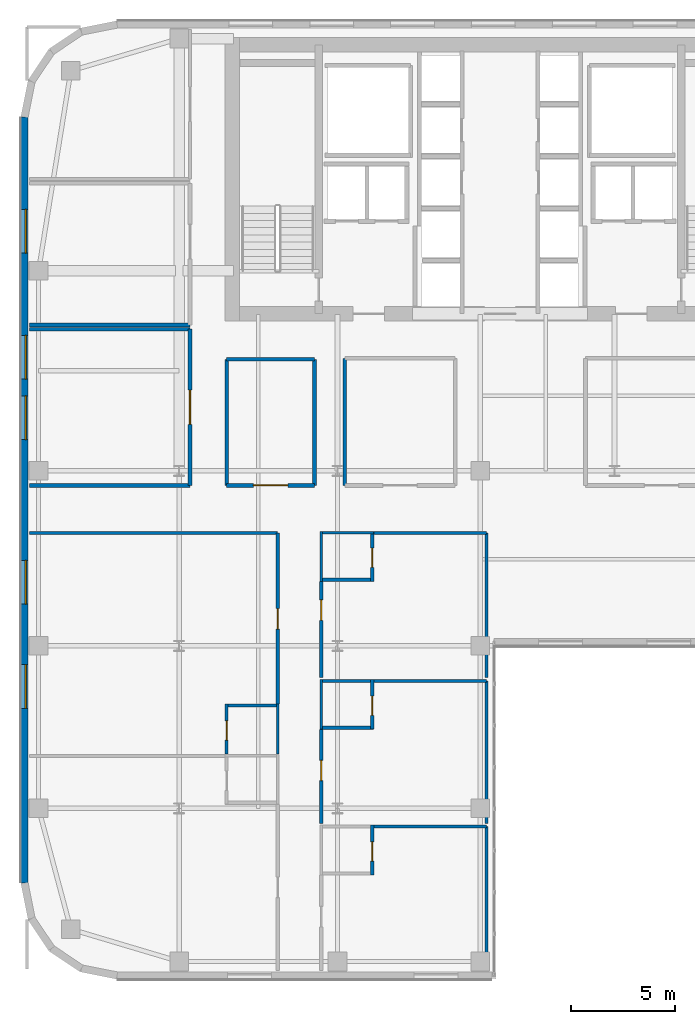
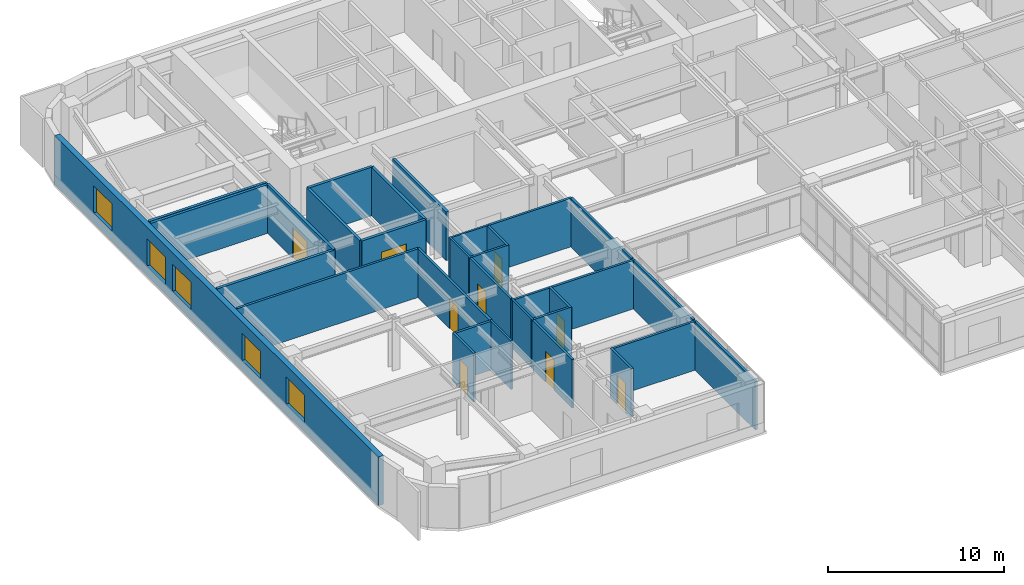
# One storey, part 14 of 24: 32 walls, 9 doors, 5 windows, 14 openings.
"""IFC4 building model written with IfcOpenShell, lengths in metres."""

from ifc_helpers import new_model, si_unit, direction, frame, frame_2d, origin, place, context, subcontext, project, spatial, rectangle, extrude, source, transform, mapped, material, layer, layer_set, type_object, type_shapes, element, fill, save


model = new_model("IFC4")

# Units and contexts
model_context = context("Model", 3, precision=1e-05, world=origin(), true_north=direction((0.0, 1.0)))
body_context = subcontext(model_context, "Body", "Model", "MODEL_VIEW")
ifc_project = project(units=[si_unit("LENGTHUNIT", "METRE"), si_unit("AREAUNIT", "SQUARE_METRE"), si_unit("VOLUMEUNIT", "CUBIC_METRE"), si_unit("PLANEANGLEUNIT", "RADIAN"), si_unit("MASSUNIT", "GRAM", prefix="KILO")], contexts=[model_context])

# Site, building, storey
site_placement = place(None, origin())
site = spatial("IfcSite", under=ifc_project, at=site_placement, CompositionType="ELEMENT")
building_placement = place(site_placement, origin())
building = spatial("IfcBuilding", under=site, at=building_placement, Name="Tolvann Quenvar Hotel", CompositionType="ELEMENT")
storey_placement = place(building_placement, frame((0.0, 0.0, 139.949951171875)))
storey = spatial("IfcBuildingStorey", under=building, at=storey_placement, Name="L36", CompositionType="ELEMENT", Elevation=139.949951171875)

# Wall, openings, windows
ifc_material_1 = material(Name="Kiln-fired red and buff architectural clay brickwork and terracotta masonry", Category="masonry")
ifc_layer_1 = layer(ifc_material_1, 0.35009765625)
ifc_layer_set_1 = layer_set([ifc_layer_1], Name="Kiln-fired red and buff architectural clay brickwork and terracotta masonry")
wall_type_1 = type_object("IfcWallType", Name="WALL_EXT_BRICK_350", PredefinedType="SOLIDWALL", material=ifc_layer_set_1)
wall_1_placement = place(storey_placement, frame((0.175048828125, 41.3828125, 0.0), z_axis=(0.0, 0.0, 1.0), x_axis=(0.0, -1.0, 0.0)))
wall_1 = element("IfcWall", 1, at=wall_1_placement, inside=storey, type_object=wall_type_1, Name="Exterior Chicago Brick Wall L36-E23", PredefinedType="SOLIDWALL", context=body_context, shape_type="SweptSolid", body=[
    extrude(rectangle(XDim=36.765625, YDim=0.35009765625, at=frame_2d((18.3828125, 0.0))), origin(), (0.0, 0.0, 1.0), 3.3701171875),
])
opening_1_placement = place(wall_1_placement, frame((4.427978515625, 0.0, 0.679931640625)))
opening_1 = element("IfcOpeningElement", 2, at=opening_1_placement, cuts=wall_1, Name="Opening W-02", PredefinedType="OPENING", context=body_context, shape_type="SweptSolid", body=[
    extrude(rectangle(XDim=2.10009765625, YDim=1.89990234375, at=frame_2d((1.050048828125, 0.949951171875))), frame((0.0, 0.18505859375, 0.0), z_axis=(0.0, -1.0, 0.0), x_axis=(1.0, 0.0, 0.0)), (0.0, 0.0, 1.0), 0.3701171875),
])
opening_2_placement = place(wall_1_placement, frame((10.47900390625, 0.0, 0.679931640625)))
opening_2 = element("IfcOpeningElement", 3, at=opening_2_placement, cuts=wall_1, Name="Opening W-02", PredefinedType="OPENING", context=body_context, shape_type="SweptSolid", body=[
    extrude(rectangle(XDim=2.10009765625, YDim=1.89990234375, at=frame_2d((1.050048828125, 0.949951171875))), frame((0.0, 0.18505859375, 0.0), z_axis=(0.0, -1.0, 0.0), x_axis=(1.0, 0.0, 0.0)), (0.0, 0.0, 1.0), 0.3701171875),
])
opening_3_placement = place(wall_1_placement, frame((13.381103515625, 0.0, 0.679931640625)))
opening_3 = element("IfcOpeningElement", 4, at=opening_3_placement, cuts=wall_1, Name="Opening W-02", PredefinedType="OPENING", context=body_context, shape_type="SweptSolid", body=[
    extrude(rectangle(XDim=2.10009765625, YDim=1.89990234375, at=frame_2d((1.050048828125, 0.949951171875))), frame((0.0, 0.18505859375, 0.0), z_axis=(0.0, -1.0, 0.0), x_axis=(1.0, 0.0, 0.0)), (0.0, 0.0, 1.0), 0.3701171875),
])
opening_4_placement = place(wall_1_placement, frame((21.284912109375, 0.0, 0.679931640625)))
opening_4 = element("IfcOpeningElement", 5, at=opening_4_placement, cuts=wall_1, Name="Opening W-02", PredefinedType="OPENING", context=body_context, shape_type="SweptSolid", body=[
    extrude(rectangle(XDim=2.10009765625, YDim=1.89990234375, at=frame_2d((1.050048828125, 0.949951171875))), frame((0.0, 0.18505859375, 0.0), z_axis=(0.0, -1.0, 0.0), x_axis=(1.0, 0.0, 0.0)), (0.0, 0.0, 1.0), 0.3701171875),
])
opening_5_placement = place(wall_1_placement, frame((26.285888671875, 0.0, 0.679931640625)))
opening_5 = element("IfcOpeningElement", 6, at=opening_5_placement, cuts=wall_1, Name="Opening W-02", PredefinedType="OPENING", context=body_context, shape_type="SweptSolid", body=[
    extrude(rectangle(XDim=2.10009765625, YDim=1.89990234375, at=frame_2d((1.050048828125, 0.949951171875))), frame((0.0, 0.18505859375, 0.0), z_axis=(0.0, -1.0, 0.0), x_axis=(1.0, 0.0, 0.0)), (0.0, 0.0, 1.0), 0.3701171875),
])
ifc_material_2 = material(Name="Thermally broken bronze-anodised aluminium frame with double low-E glazing", Category="aluminium")
window_type = type_object("IfcWindowType", Name="WIN_CHI_2100x2050", PartitioningType="TRIPLE_PANEL_HORIZONTAL", PredefinedType="WINDOW", material=ifc_material_2)
shared_shape_1 = source(origin(), body_context, "Body", "SweptSolid", [
    extrude(rectangle(XDim=2.10009765625, YDim=1.89990234375, at=frame_2d((1.050048828125, 0.949951171875))), frame((0.0, 0.090087890625, 0.0), z_axis=(0.0, -1.0, 0.0), x_axis=(1.0, 0.0, 0.0)), (0.0, 0.0, 1.0), 0.06005859375),
])
type_shapes(window_type, [shared_shape_1])
window_1_placement = place(opening_1_placement, origin())
window_1 = element("IfcWindow", 7, at=window_1_placement, inside=storey, type_object=window_type, Name="Chicago Window W-02 (EW-L36-E23-W01)", OverallHeight=1.89990234375, OverallWidth=2.10009765625, PartitioningType="TRIPLE_PANEL_HORIZONTAL", PredefinedType="WINDOW", context=body_context, shape_type="MappedRepresentation", body=[
    mapped(shared_shape_1, transform((0.0, 0.0, 0.0), x_axis=(1.0, 0.0, 0.0), y_axis=(0.0, 1.0, 0.0), z_axis=(0.0, 0.0, 1.0), scale=1.0)),
])
fill(opening_1, window_1)
window_2_placement = place(opening_2_placement, origin())
window_2 = element("IfcWindow", 8, at=window_2_placement, inside=storey, type_object=window_type, Name="Chicago Window W-02 (EW-L36-E23-W02)", OverallHeight=1.89990234375, OverallWidth=2.10009765625, PartitioningType="TRIPLE_PANEL_HORIZONTAL", PredefinedType="WINDOW", context=body_context, shape_type="MappedRepresentation", body=[
    mapped(shared_shape_1, transform((0.0, 0.0, 0.0), x_axis=(1.0, 0.0, 0.0), y_axis=(0.0, 1.0, 0.0), z_axis=(0.0, 0.0, 1.0), scale=1.0)),
])
fill(opening_2, window_2)
window_3_placement = place(opening_3_placement, origin())
window_3 = element("IfcWindow", 9, at=window_3_placement, inside=storey, type_object=window_type, Name="Chicago Window W-02 (EW-L36-E23-W03)", OverallHeight=1.89990234375, OverallWidth=2.10009765625, PartitioningType="TRIPLE_PANEL_HORIZONTAL", PredefinedType="WINDOW", context=body_context, shape_type="MappedRepresentation", body=[
    mapped(shared_shape_1, transform((0.0, 0.0, 0.0), x_axis=(1.0, 0.0, 0.0), y_axis=(0.0, 1.0, 0.0), z_axis=(0.0, 0.0, 1.0), scale=1.0)),
])
fill(opening_3, window_3)
window_4_placement = place(opening_4_placement, origin())
window_4 = element("IfcWindow", 10, at=window_4_placement, inside=storey, type_object=window_type, Name="Chicago Window W-02 (EW-L36-E23-W04)", OverallHeight=1.89990234375, OverallWidth=2.10009765625, PartitioningType="TRIPLE_PANEL_HORIZONTAL", PredefinedType="WINDOW", context=body_context, shape_type="MappedRepresentation", body=[
    mapped(shared_shape_1, transform((0.0, 0.0, 0.0), x_axis=(1.0, 0.0, 0.0), y_axis=(0.0, 1.0, 0.0), z_axis=(0.0, 0.0, 1.0), scale=1.0)),
])
fill(opening_4, window_4)
window_5_placement = place(opening_5_placement, origin())
window_5 = element("IfcWindow", 11, at=window_5_placement, inside=storey, type_object=window_type, Name="Chicago Window W-02 (EW-L36-E23-W05)", OverallHeight=1.89990234375, OverallWidth=2.10009765625, PartitioningType="TRIPLE_PANEL_HORIZONTAL", PredefinedType="WINDOW", context=body_context, shape_type="MappedRepresentation", body=[
    mapped(shared_shape_1, transform((0.0, 0.0, 0.0), x_axis=(1.0, 0.0, 0.0), y_axis=(0.0, 1.0, 0.0), z_axis=(0.0, 0.0, 1.0), scale=1.0)),
])
fill(opening_5, window_5)

# Walls
ifc_material_3 = material(Name="Acoustic twin-stud fire-rated gypsum plasterboard partition")
ifc_layer_2 = layer(ifc_material_3, 0.179931640625)
ifc_layer_set_2 = layer_set([ifc_layer_2], Name="Acoustic twin-stud fire-rated gypsum plasterboard partition")
wall_type_2 = type_object("IfcWallType", Name="WALL_PART_ACOUSTIC_180", PredefinedType="PARTITIONING", material=ifc_layer_set_2)
for number, where, z_axis, x_axis, name in (
    (12, (0.405029296875, 23.699951171875, 0.0), (0.0, 0.0, 1.0), (1.0, 0.0, 0.0), "Interior Partition PT-SPC-L36-SAL-S"),
    (13, (0.405029296875, 31.199951171875, 0.0), (0.0, 0.0, 1.0), (1.0, 0.0, 0.0), "Interior Partition PT-SPC-L36-SAL-N"),
):
    element("IfcWall", number, at=place(storey_placement, frame(where, z_axis=z_axis, x_axis=x_axis)), inside=storey, type_object=wall_type_2, Name=name, PredefinedType="PARTITIONING", context=body_context, shape_type="SweptSolid", body=[
        extrude(rectangle(XDim=7.715087890625, YDim=0.179931640625, at=frame_2d((3.857421875, 0.0))), origin(), (0.0, 0.0, 1.0), 3.3701171875),
    ])

# Wall, opening, door
wall_2_placement = place(storey_placement, frame((8.1201171875, 23.699951171875, 0.0), z_axis=(0.0, 0.0, 1.0), x_axis=(0.0, 1.0, 0.0)))
wall_2 = element("IfcWall", 14, at=wall_2_placement, inside=storey, type_object=wall_type_2, Name="Interior Partition PT-SPC-L36-SAL-E", PredefinedType="PARTITIONING", context=body_context, shape_type="SweptSolid", body=[
    extrude(rectangle(XDim=7.5, YDim=0.179931640625, at=frame_2d((3.75, 0.0))), origin(), (0.0, 0.0, 1.0), 3.3701171875),
])
opening_6_placement = place(wall_2_placement, frame((2.925048828125, 0.0, 0.0)))
opening_6 = element("IfcOpeningElement", 15, at=opening_6_placement, cuts=wall_2, Name="Opening AD-01", PredefinedType="OPENING", context=body_context, shape_type="SweptSolid", body=[
    extrude(rectangle(XDim=1.64990234375, YDim=2.14990234375, at=frame_2d((0.824951171875, 1.074951171875))), frame((0.0, 0.10009765625, 0.0), z_axis=(0.0, -1.0, 0.0), x_axis=(1.0, 0.0, 0.0)), (0.0, 0.0, 1.0), 0.199951171875),
])
ifc_material_4 = material(Name="Solid-core American oak acoustic fire door leaf in steel frame", Category="steel")
door_type_1 = type_object("IfcDoorType", Name="DOOR_SALON_1650", OperationType="NOTDEFINED", PredefinedType="DOOR", material=ifc_material_4)
shared_shape_2 = source(origin(), body_context, "Body", "SweptSolid", [
    extrude(rectangle(XDim=1.64990234375, YDim=2.14990234375, at=frame_2d((0.824951171875, 1.074951171875))), frame((0.0, 0.02490234375, 0.0), z_axis=(0.0, -1.0, 0.0), x_axis=(1.0, 0.0, 0.0)), (0.0, 0.0, 1.0), 0.050048828125),
])
type_shapes(door_type_1, [shared_shape_2])
door_1_placement = place(opening_6_placement, origin())
door_1 = element("IfcDoor", 16, at=door_1_placement, inside=storey, type_object=door_type_1, Name="Interior Door DOOR-SPC-L36-SAL", OperationType="DOUBLE_DOOR_SINGLE_SWING", OverallHeight=2.14990234375, OverallWidth=1.64990234375, PredefinedType="DOOR", context=body_context, shape_type="MappedRepresentation", body=[
    mapped(shared_shape_2, transform((0.0, 0.0, 0.0), x_axis=(1.0, 0.0, 0.0), y_axis=(0.0, 1.0, 0.0), z_axis=(0.0, 0.0, 1.0), scale=1.0)),
])
fill(opening_6, door_1)

# Wall
wall_3_placement = place(storey_placement, frame((0.405029296875, 31.39990234375, 0.0), z_axis=(0.0, 0.0, 1.0), x_axis=(1.0, 0.0, 0.0)))
element("IfcWall", 17, at=wall_3_placement, inside=storey, type_object=wall_type_2, Name="Interior Partition PT-SPC-L36-MTG-S", PredefinedType="PARTITIONING", context=body_context, shape_type="SweptSolid", body=[
    extrude(rectangle(XDim=7.715087890625, YDim=0.179931640625, at=frame_2d((3.857421875, 0.0))), origin(), (0.0, 0.0, 1.0), 3.3701171875),
])

# Wall, opening, door
wall_4_placement = place(storey_placement, frame((9.8798828125, 23.699951171875, 0.0), z_axis=(0.0, 0.0, 1.0), x_axis=(1.0, 0.0, 0.0)))
wall_4 = element("IfcWall", 18, at=wall_4_placement, inside=storey, type_object=wall_type_2, Name="Interior Partition PT-SPC-L36-MSP-W-S", PredefinedType="PARTITIONING", context=body_context, shape_type="SweptSolid", body=[
    extrude(rectangle(XDim=4.22021484375, YDim=0.179931640625, at=frame_2d((2.110107421875, 0.0))), origin(), (0.0, 0.0, 1.0), 3.3701171875),
])
opening_7_placement = place(wall_4_placement, frame((1.284912109375, 0.0, 0.0)))
opening_7 = element("IfcOpeningElement", 19, at=opening_7_placement, cuts=wall_4, Name="Opening AD-01", PredefinedType="OPENING", context=body_context, shape_type="SweptSolid", body=[
    extrude(rectangle(XDim=1.64990234375, YDim=2.14990234375, at=frame_2d((0.824951171875, 1.074951171875))), frame((0.0, 0.10009765625, 0.0), z_axis=(0.0, -1.0, 0.0), x_axis=(1.0, 0.0, 0.0)), (0.0, 0.0, 1.0), 0.199951171875),
])
door_2_placement = place(opening_7_placement, origin())
door_2 = element("IfcDoor", 20, at=door_2_placement, inside=storey, type_object=door_type_1, Name="Interior Door DOOR-SPC-L36-MSP-W", OperationType="DOUBLE_DOOR_SINGLE_SWING", OverallHeight=2.14990234375, OverallWidth=1.64990234375, PredefinedType="DOOR", context=body_context, shape_type="MappedRepresentation", body=[
    mapped(shared_shape_2, transform((0.0, 0.0, 0.0), x_axis=(1.0, 0.0, 0.0), y_axis=(0.0, 1.0, 0.0), z_axis=(0.0, 0.0, 1.0), scale=1.0)),
])
fill(opening_7, door_2)

# Walls
wall_5_placement = place(storey_placement, frame((9.8798828125, 29.75, 0.0), z_axis=(0.0, 0.0, 1.0), x_axis=(1.0, 0.0, 0.0)))
element("IfcWall", 21, at=wall_5_placement, inside=storey, type_object=wall_type_2, Name="Interior Partition PT-SPC-L36-MSP-W-N", PredefinedType="PARTITIONING", context=body_context, shape_type="SweptSolid", body=[
    extrude(rectangle(XDim=4.22021484375, YDim=0.179931640625, at=frame_2d((2.110107421875, 0.0))), origin(), (0.0, 0.0, 1.0), 3.3701171875),
])
for number, where, z_axis, x_axis, name in (
    (22, (9.8798828125, 23.699951171875, 0.0), (0.0, 0.0, 1.0), (0.0, 1.0, 0.0), "Interior Partition PT-SPC-L36-MSP-W-W"),
    (23, (14.10009765625, 23.699951171875, 0.0), (0.0, 0.0, 1.0), (0.0, 1.0, 0.0), "Interior Partition PT-SPC-L36-MSP-W-E"),
):
    element("IfcWall", number, at=place(storey_placement, frame(where, z_axis=z_axis, x_axis=x_axis)), inside=storey, type_object=wall_type_2, Name=name, PredefinedType="PARTITIONING", context=body_context, shape_type="SweptSolid", body=[
        extrude(rectangle(XDim=6.050048828125, YDim=0.179931640625, at=frame_2d((3.02490234375, 0.0))), origin(), (0.0, 0.0, 1.0), 3.3701171875),
    ])
wall_6_placement = place(storey_placement, frame((15.550048828125, 23.699951171875, 0.0), z_axis=(0.0, 0.0, 1.0), x_axis=(0.0, 1.0, 0.0)))
element("IfcWall", 24, at=wall_6_placement, inside=storey, type_object=wall_type_2, Name="Interior Partition PT-SPC-L36-MSP-N-W", PredefinedType="PARTITIONING", context=body_context, shape_type="SweptSolid", body=[
    extrude(rectangle(XDim=6.10009765625, YDim=0.179931640625, at=frame_2d((3.050048828125, 0.0))), origin(), (0.0, 0.0, 1.0), 3.3701171875),
])
ifc_material_5 = material(Name="Moisture-resistant acoustic plumbing wall assembly")
ifc_layer_3 = layer(ifc_material_5, 0.1201171875)
ifc_layer_set_3 = layer_set([ifc_layer_3], Name="Moisture-resistant acoustic plumbing wall assembly")
wall_type_3 = type_object("IfcWallType", Name="WALL_PART_BATH_120", PredefinedType="PLUMBINGWALL", material=ifc_layer_set_3)
for number, where, z_axis, x_axis, name in (
    (25, (12.330078125, 10.81005859375, 0.0), (0.0, 0.0, 1.0), (0.0, 1.0, 0.0), "Non-Rated Plumbing Partition PT-SPC-L36-ENS-WO02-E"),
    (26, (14.419921875, 12.0, 0.0), (0.0, 0.0, 1.0), (0.0, 1.0, 0.0), "Non-Rated Plumbing Partition PT-SPC-L36-ENS-WI02-W"),
):
    element("IfcWall", number, at=place(storey_placement, frame(where, z_axis=z_axis, x_axis=x_axis)), inside=storey, type_object=wall_type_3, Name=name, PredefinedType="PLUMBINGWALL", context=body_context, shape_type="SweptSolid", body=[
        extrude(rectangle(XDim=2.389892578125, YDim=0.1201171875, at=frame_2d((1.19482421875, 0.0))), origin(), (0.0, 0.0, 1.0), 3.3701171875),
    ])
wall_7_placement = place(storey_placement, frame((14.35009765625, 21.419921875, 0.0), z_axis=(0.0, 0.0, 1.0), x_axis=(1.0, 0.0, 0.0)))
element("IfcWall", 27, at=wall_7_placement, inside=storey, type_object=wall_type_3, Name="Non-Rated Plumbing Partition PT-SPC-L36-ENS-WI03-N", PredefinedType="PLUMBINGWALL", context=body_context, shape_type="SweptSolid", body=[
    extrude(rectangle(XDim=2.58984375, YDim=0.1201171875, at=frame_2d((1.294921875, 0.0))), origin(), (0.0, 0.0, 1.0), 3.3701171875),
])
wall_8_placement = place(storey_placement, frame((14.419921875, 19.10009765625, 0.0), z_axis=(0.0, 0.0, 1.0), x_axis=(0.0, 1.0, 0.0)))
element("IfcWall", 28, at=wall_8_placement, inside=storey, type_object=wall_type_3, Name="Non-Rated Plumbing Partition PT-SPC-L36-ENS-WI03-W", PredefinedType="PLUMBINGWALL", context=body_context, shape_type="SweptSolid", body=[
    extrude(rectangle(XDim=2.389892578125, YDim=0.1201171875, at=frame_2d((1.19482421875, 0.0))), origin(), (0.0, 0.0, 1.0), 3.3701171875),
])

# Wall, opening, door
ifc_layer_4 = layer(ifc_material_3, 0.14990234375)
ifc_layer_set_4 = layer_set([ifc_layer_4], Name="Acoustic twin-stud fire-rated gypsum plasterboard partition")
wall_type_4 = type_object("IfcWallType", Name="WALL_PART_SUITE_150", PredefinedType="PARTITIONING", material=ifc_layer_set_4)
wall_9_placement = place(storey_placement, frame((9.8798828125, 10.81005859375, 0.0), z_axis=(0.0, 0.0, 1.0), x_axis=(0.0, 1.0, 0.0)))
wall_9 = element("IfcWall", 29, at=wall_9_placement, inside=storey, type_object=wall_type_4, Name="Interior Partition PT-SPC-L36-ENS-WO02-ENT", PredefinedType="PARTITIONING", context=body_context, shape_type="SweptSolid", body=[
    extrude(rectangle(XDim=2.389892578125, YDim=0.14990234375, at=frame_2d((1.19482421875, 0.0))), origin(), (0.0, 0.0, 1.0), 3.3701171875),
])
opening_8_placement = place(wall_9_placement, frame((0.6650390625, 0.0, 0.0)))
opening_8 = element("IfcOpeningElement", 30, at=opening_8_placement, cuts=wall_9, Name="Opening WD-01", PredefinedType="OPENING", context=body_context, shape_type="SweptSolid", body=[
    extrude(rectangle(XDim=0.919921875, YDim=2.010009765625, at=frame_2d((0.4599609375, 1.0048828125))), frame((0.0, 0.0849609375, 0.0), z_axis=(0.0, -1.0, 0.0), x_axis=(1.0, 0.0, 0.0)), (0.0, 0.0, 1.0), 0.169921875),
])
door_type_2 = type_object("IfcDoorType", Name="DOOR_WC_920", OperationType="NOTDEFINED", PredefinedType="DOOR", material=ifc_material_4)
shared_shape_3 = source(origin(), body_context, "Body", "SweptSolid", [
    extrude(rectangle(XDim=0.919921875, YDim=2.010009765625, at=frame_2d((0.4599609375, 1.0048828125))), frame((0.0, 0.02490234375, 0.0), z_axis=(0.0, -1.0, 0.0), x_axis=(1.0, 0.0, 0.0)), (0.0, 0.0, 1.0), 0.050048828125),
])
type_shapes(door_type_2, [shared_shape_3])
door_3_placement = place(opening_8_placement, origin())
door_3 = element("IfcDoor", 31, at=door_3_placement, inside=storey, type_object=door_type_2, Name="Interior Door DOOR-SPC-L36-ENS-WO02", OperationType="SINGLE_SWING_LEFT", OverallHeight=2.010009765625, OverallWidth=0.919921875, PredefinedType="DOOR", context=body_context, shape_type="MappedRepresentation", body=[
    mapped(shared_shape_3, transform((0.0, 0.0, 0.0), x_axis=(1.0, 0.0, 0.0), y_axis=(0.0, 1.0, 0.0), z_axis=(0.0, 0.0, 1.0), scale=1.0)),
])
fill(opening_8, door_3)

# Wall
wall_10_placement = place(storey_placement, frame((9.81005859375, 13.1298828125, 0.0), z_axis=(0.0, 0.0, 1.0), x_axis=(1.0, 0.0, 0.0)))
element("IfcWall", 32, at=wall_10_placement, inside=storey, type_object=wall_type_4, Name="Interior Partition PT-SPC-L36-ENS-WO02-N", PredefinedType="PARTITIONING", context=body_context, shape_type="SweptSolid", body=[
    extrude(rectangle(XDim=2.58984375, YDim=0.14990234375, at=frame_2d((1.294921875, 0.0))), origin(), (0.0, 0.0, 1.0), 3.3701171875),
])

# Wall, opening, door
wall_11_placement = place(storey_placement, frame((16.8701171875, 5.0, 0.0), z_axis=(0.0, 0.0, 1.0), x_axis=(0.0, 1.0, 0.0)))
wall_11 = element("IfcWall", 33, at=wall_11_placement, inside=storey, type_object=wall_type_4, Name="Interior Partition PT-SPC-L36-ENS-WI01-ENT", PredefinedType="PARTITIONING", context=body_context, shape_type="SweptSolid", body=[
    extrude(rectangle(XDim=2.389892578125, YDim=0.14990234375, at=frame_2d((1.19482421875, 0.0))), origin(), (0.0, 0.0, 1.0), 3.3701171875),
])
opening_9_placement = place(wall_11_placement, frame((0.6650390625, 0.0, 0.0)))
opening_9 = element("IfcOpeningElement", 34, at=opening_9_placement, cuts=wall_11, Name="Opening WD-01", PredefinedType="OPENING", context=body_context, shape_type="SweptSolid", body=[
    extrude(rectangle(XDim=0.919921875, YDim=2.010009765625, at=frame_2d((0.4599609375, 1.0048828125))), frame((0.0, 0.0849609375, 0.0), z_axis=(0.0, -1.0, 0.0), x_axis=(1.0, 0.0, 0.0)), (0.0, 0.0, 1.0), 0.169921875),
])
door_4_placement = place(opening_9_placement, origin())
door_4 = element("IfcDoor", 35, at=door_4_placement, inside=storey, type_object=door_type_2, Name="Interior Door DOOR-SPC-L36-ENS-WI01", OperationType="SINGLE_SWING_RIGHT", OverallHeight=2.010009765625, OverallWidth=0.919921875, PredefinedType="DOOR", context=body_context, shape_type="MappedRepresentation", body=[
    mapped(shared_shape_3, transform((0.0, 0.0, 0.0), x_axis=(1.0, 0.0, 0.0), y_axis=(0.0, 1.0, 0.0), z_axis=(0.0, 0.0, 1.0), scale=1.0)),
])
fill(opening_9, door_4)

wall_12_placement = place(storey_placement, frame((16.8701171875, 12.0, 0.0), z_axis=(0.0, 0.0, 1.0), x_axis=(0.0, 1.0, 0.0)))
wall_12 = element("IfcWall", 36, at=wall_12_placement, inside=storey, type_object=wall_type_4, Name="Interior Partition PT-SPC-L36-ENS-WI02-ENT", PredefinedType="PARTITIONING", context=body_context, shape_type="SweptSolid", body=[
    extrude(rectangle(XDim=2.389892578125, YDim=0.14990234375, at=frame_2d((1.19482421875, 0.0))), origin(), (0.0, 0.0, 1.0), 3.3701171875),
])
opening_10_placement = place(wall_12_placement, frame((0.6650390625, 0.0, 0.0)))
opening_10 = element("IfcOpeningElement", 37, at=opening_10_placement, cuts=wall_12, Name="Opening WD-01", PredefinedType="OPENING", context=body_context, shape_type="SweptSolid", body=[
    extrude(rectangle(XDim=0.919921875, YDim=2.010009765625, at=frame_2d((0.4599609375, 1.0048828125))), frame((0.0, 0.0849609375, 0.0), z_axis=(0.0, -1.0, 0.0), x_axis=(1.0, 0.0, 0.0)), (0.0, 0.0, 1.0), 0.169921875),
])
door_5_placement = place(opening_10_placement, origin())
door_5 = element("IfcDoor", 38, at=door_5_placement, inside=storey, type_object=door_type_2, Name="Interior Door DOOR-SPC-L36-ENS-WI02", OperationType="SINGLE_SWING_LEFT", OverallHeight=2.010009765625, OverallWidth=0.919921875, PredefinedType="DOOR", context=body_context, shape_type="MappedRepresentation", body=[
    mapped(shared_shape_3, transform((0.0, 0.0, 0.0), x_axis=(1.0, 0.0, 0.0), y_axis=(0.0, 1.0, 0.0), z_axis=(0.0, 0.0, 1.0), scale=1.0)),
])
fill(opening_10, door_5)

# Walls
for number, where, z_axis, x_axis, name in (
    (39, (14.35009765625, 12.070068359375, 0.0), (0.0, 0.0, 1.0), (1.0, 0.0, 0.0), "Interior Partition PT-SPC-L36-ENS-WI02-S"),
    (40, (14.35009765625, 14.320068359375, 0.0), (0.0, 0.0, 1.0), (1.0, 0.0, 0.0), "Interior Partition PT-SPC-L36-ENS-WI02-N"),
):
    element("IfcWall", number, at=place(storey_placement, frame(where, z_axis=z_axis, x_axis=x_axis)), inside=storey, type_object=wall_type_4, Name=name, PredefinedType="PARTITIONING", context=body_context, shape_type="SweptSolid", body=[
        extrude(rectangle(XDim=2.58984375, YDim=0.14990234375, at=frame_2d((1.294921875, 0.0))), origin(), (0.0, 0.0, 1.0), 3.3701171875),
    ])

# Wall, opening, door
wall_13_placement = place(storey_placement, frame((16.8701171875, 19.10009765625, 0.0), z_axis=(0.0, 0.0, 1.0), x_axis=(0.0, 1.0, 0.0)))
wall_13 = element("IfcWall", 41, at=wall_13_placement, inside=storey, type_object=wall_type_4, Name="Interior Partition PT-SPC-L36-ENS-WI03-ENT", PredefinedType="PARTITIONING", context=body_context, shape_type="SweptSolid", body=[
    extrude(rectangle(XDim=2.389892578125, YDim=0.14990234375, at=frame_2d((1.19482421875, 0.0))), origin(), (0.0, 0.0, 1.0), 3.3701171875),
])
opening_11_placement = place(wall_13_placement, frame((0.6650390625, 0.0, 0.0)))
opening_11 = element("IfcOpeningElement", 42, at=opening_11_placement, cuts=wall_13, Name="Opening WD-01", PredefinedType="OPENING", context=body_context, shape_type="SweptSolid", body=[
    extrude(rectangle(XDim=0.919921875, YDim=2.010009765625, at=frame_2d((0.4599609375, 1.0048828125))), frame((0.0, 0.0849609375, 0.0), z_axis=(0.0, -1.0, 0.0), x_axis=(1.0, 0.0, 0.0)), (0.0, 0.0, 1.0), 0.169921875),
])
door_6_placement = place(opening_11_placement, origin())
door_6 = element("IfcDoor", 43, at=door_6_placement, inside=storey, type_object=door_type_2, Name="Interior Door DOOR-SPC-L36-ENS-WI03", OperationType="SINGLE_SWING_RIGHT", OverallHeight=2.010009765625, OverallWidth=0.919921875, PredefinedType="DOOR", context=body_context, shape_type="MappedRepresentation", body=[
    mapped(shared_shape_3, transform((0.0, 0.0, 0.0), x_axis=(1.0, 0.0, 0.0), y_axis=(0.0, 1.0, 0.0), z_axis=(0.0, 0.0, 1.0), scale=1.0)),
])
fill(opening_11, door_6)

# Wall
wall_14_placement = place(storey_placement, frame((14.35009765625, 19.169921875, 0.0), z_axis=(0.0, 0.0, 1.0), x_axis=(1.0, 0.0, 0.0)))
element("IfcWall", 44, at=wall_14_placement, inside=storey, type_object=wall_type_4, Name="Interior Partition PT-SPC-L36-ENS-WI03-S", PredefinedType="PARTITIONING", context=body_context, shape_type="SweptSolid", body=[
    extrude(rectangle(XDim=2.58984375, YDim=0.14990234375, at=frame_2d((1.294921875, 0.0))), origin(), (0.0, 0.0, 1.0), 3.3701171875),
])

# Wall, opening, door
wall_15_placement = place(storey_placement, frame((12.330078125, 13.2099609375, 0.0), z_axis=(0.0, 0.0, 1.0), x_axis=(0.0, 1.0, 0.0)))
wall_15 = element("IfcWall", 45, at=wall_15_placement, inside=storey, type_object=wall_type_4, Name="Interior Partition PT-SPC-L36-RM-WO02-ENT", PredefinedType="PARTITIONING", context=body_context, shape_type="SweptSolid", body=[
    extrude(rectangle(XDim=8.2099609375, YDim=0.14990234375, at=frame_2d((4.10498046875, 0.0))), origin(), (0.0, 0.0, 1.0), 3.3701171875),
])
opening_12_placement = place(wall_15_placement, frame((3.594970703125, 0.0, 0.0)))
opening_12 = element("IfcOpeningElement", 46, at=opening_12_placement, cuts=wall_15, Name="Opening SD-01", PredefinedType="OPENING", context=body_context, shape_type="SweptSolid", body=[
    extrude(rectangle(XDim=0.97998046875, YDim=2.1201171875, at=frame_2d((0.489990234375, 1.06005859375))), frame((0.0, 0.0849609375, 0.0), z_axis=(0.0, -1.0, 0.0), x_axis=(1.0, 0.0, 0.0)), (0.0, 0.0, 1.0), 0.169921875),
])
door_type_3 = type_object("IfcDoorType", Name="DOOR_SUITE_980", OperationType="NOTDEFINED", PredefinedType="DOOR", material=ifc_material_4)
shared_shape_4 = source(origin(), body_context, "Body", "SweptSolid", [
    extrude(rectangle(XDim=0.97998046875, YDim=2.1201171875, at=frame_2d((0.489990234375, 1.06005859375))), frame((0.0, 0.02490234375, 0.0), z_axis=(0.0, -1.0, 0.0), x_axis=(1.0, 0.0, 0.0)), (0.0, 0.0, 1.0), 0.050048828125),
])
type_shapes(door_type_3, [shared_shape_4])
door_7_placement = place(opening_12_placement, origin())
door_7 = element("IfcDoor", 47, at=door_7_placement, inside=storey, type_object=door_type_3, Name="Interior Door DOOR-SPC-L36-RM-WO02", OperationType="SINGLE_SWING_RIGHT", OverallHeight=2.1201171875, OverallWidth=0.97998046875, PredefinedType="DOOR", context=body_context, shape_type="MappedRepresentation", body=[
    mapped(shared_shape_4, transform((0.0, 0.0, 0.0), x_axis=(1.0, 0.0, 0.0), y_axis=(0.0, 1.0, 0.0), z_axis=(0.0, 0.0, 1.0), scale=1.0)),
])
fill(opening_12, door_7)

# Walls
wall_16_placement = place(storey_placement, frame((0.405029296875, 21.419921875, 0.0), z_axis=(0.0, 0.0, 1.0), x_axis=(1.0, 0.0, 0.0)))
element("IfcWall", 48, at=wall_16_placement, inside=storey, type_object=wall_type_4, Name="Interior Partition PT-SPC-L36-RM-WO02-E5", PredefinedType="PARTITIONING", context=body_context, shape_type="SweptSolid", body=[
    extrude(rectangle(XDim=11.925048828125, YDim=0.14990234375, at=frame_2d((5.96240234375, 0.0))), origin(), (0.0, 0.0, 1.0), 3.3701171875),
])
wall_17_placement = place(storey_placement, frame((22.35009765625, 0.405029296875, 0.0), z_axis=(0.0, 0.0, 1.0), x_axis=(0.0, 1.0, 0.0)))
element("IfcWall", 49, at=wall_17_placement, inside=storey, type_object=wall_type_4, Name="Interior Partition PT-SPC-L36-RM-WI01-E2", PredefinedType="PARTITIONING", context=body_context, shape_type="SweptSolid", body=[
    extrude(rectangle(XDim=6.9150390625, YDim=0.14990234375, at=frame_2d((3.45751953125, 0.0))), origin(), (0.0, 0.0, 1.0), 3.3701171875),
])
wall_18_placement = place(storey_placement, frame((16.889892578125, 7.320068359375, 0.0), z_axis=(0.0, 0.0, 1.0), x_axis=(1.0, 0.0, 0.0)))
element("IfcWall", 50, at=wall_18_placement, inside=storey, type_object=wall_type_4, Name="Interior Partition PT-SPC-L36-RM-WI01-E3", PredefinedType="PARTITIONING", context=body_context, shape_type="SweptSolid", body=[
    extrude(rectangle(XDim=5.460205078125, YDim=0.14990234375, at=frame_2d((2.72998046875, 0.0))), origin(), (0.0, 0.0, 1.0), 3.3701171875),
])

# Wall, opening, door
wall_19_placement = place(storey_placement, frame((14.419921875, 7.47998046875, 0.0), z_axis=(0.0, 0.0, 1.0), x_axis=(0.0, 1.0, 0.0)))
wall_19 = element("IfcWall", 51, at=wall_19_placement, inside=storey, type_object=wall_type_4, Name="Interior Partition PT-SPC-L36-RM-WI02-ENT", PredefinedType="PARTITIONING", context=body_context, shape_type="SweptSolid", body=[
    extrude(rectangle(XDim=4.510009765625, YDim=0.14990234375, at=frame_2d((2.2548828125, 0.0))), origin(), (0.0, 0.0, 1.0), 3.3701171875),
])
opening_13_placement = place(wall_19_placement, frame((2.044921875, 0.0, 0.0)))
opening_13 = element("IfcOpeningElement", 52, at=opening_13_placement, cuts=wall_19, Name="Opening SD-01", PredefinedType="OPENING", context=body_context, shape_type="SweptSolid", body=[
    extrude(rectangle(XDim=0.97998046875, YDim=2.1201171875, at=frame_2d((0.489990234375, 1.06005859375))), frame((0.0, 0.0849609375, 0.0), z_axis=(0.0, -1.0, 0.0), x_axis=(1.0, 0.0, 0.0)), (0.0, 0.0, 1.0), 0.169921875),
])
door_8_placement = place(opening_13_placement, origin())
door_8 = element("IfcDoor", 53, at=door_8_placement, inside=storey, type_object=door_type_3, Name="Interior Door DOOR-SPC-L36-RM-WI02", OperationType="SINGLE_SWING_RIGHT", OverallHeight=2.1201171875, OverallWidth=0.97998046875, PredefinedType="DOOR", context=body_context, shape_type="MappedRepresentation", body=[
    mapped(shared_shape_4, transform((0.0, 0.0, 0.0), x_axis=(1.0, 0.0, 0.0), y_axis=(0.0, 1.0, 0.0), z_axis=(0.0, 0.0, 1.0), scale=1.0)),
])
fill(opening_13, door_8)

# Walls
wall_20_placement = place(storey_placement, frame((22.35009765625, 7.47998046875, 0.0), z_axis=(0.0, 0.0, 1.0), x_axis=(0.0, 1.0, 0.0)))
element("IfcWall", 54, at=wall_20_placement, inside=storey, type_object=wall_type_4, Name="Interior Partition PT-SPC-L36-RM-WI02-E2", PredefinedType="PARTITIONING", context=body_context, shape_type="SweptSolid", body=[
    extrude(rectangle(XDim=6.840087890625, YDim=0.14990234375, at=frame_2d((3.419921875, 0.0))), origin(), (0.0, 0.0, 1.0), 3.3701171875),
])
wall_21_placement = place(storey_placement, frame((16.889892578125, 14.320068359375, 0.0), z_axis=(0.0, 0.0, 1.0), x_axis=(1.0, 0.0, 0.0)))
element("IfcWall", 55, at=wall_21_placement, inside=storey, type_object=wall_type_4, Name="Interior Partition PT-SPC-L36-RM-WI02-E3", PredefinedType="PARTITIONING", context=body_context, shape_type="SweptSolid", body=[
    extrude(rectangle(XDim=5.460205078125, YDim=0.14990234375, at=frame_2d((2.72998046875, 0.0))), origin(), (0.0, 0.0, 1.0), 3.3701171875),
])

# Wall, opening, door
wall_22_placement = place(storey_placement, frame((14.419921875, 14.47998046875, 0.0), z_axis=(0.0, 0.0, 1.0), x_axis=(0.0, 1.0, 0.0)))
wall_22 = element("IfcWall", 56, at=wall_22_placement, inside=storey, type_object=wall_type_4, Name="Interior Partition PT-SPC-L36-RM-WI03-ENT", PredefinedType="PARTITIONING", context=body_context, shape_type="SweptSolid", body=[
    extrude(rectangle(XDim=4.610107421875, YDim=0.14990234375, at=frame_2d((2.30517578125, 0.0))), origin(), (0.0, 0.0, 1.0), 3.3701171875),
])
opening_14_placement = place(wall_22_placement, frame((2.7451171875, 0.0, 0.0)))
opening_14 = element("IfcOpeningElement", 57, at=opening_14_placement, cuts=wall_22, Name="Opening SD-01", PredefinedType="OPENING", context=body_context, shape_type="SweptSolid", body=[
    extrude(rectangle(XDim=0.97998046875, YDim=2.1201171875, at=frame_2d((0.489990234375, 1.06005859375))), frame((0.0, 0.0849609375, 0.0), z_axis=(0.0, -1.0, 0.0), x_axis=(1.0, 0.0, 0.0)), (0.0, 0.0, 1.0), 0.169921875),
])
door_9_placement = place(opening_14_placement, origin())
door_9 = element("IfcDoor", 58, at=door_9_placement, inside=storey, type_object=door_type_3, Name="Interior Door DOOR-SPC-L36-RM-WI03", OperationType="SINGLE_SWING_LEFT", OverallHeight=2.1201171875, OverallWidth=0.97998046875, PredefinedType="DOOR", context=body_context, shape_type="MappedRepresentation", body=[
    mapped(shared_shape_4, transform((0.0, 0.0, 0.0), x_axis=(1.0, 0.0, 0.0), y_axis=(0.0, 1.0, 0.0), z_axis=(0.0, 0.0, 1.0), scale=1.0)),
])
fill(opening_14, door_9)

# Walls
wall_23_placement = place(storey_placement, frame((22.35009765625, 14.47998046875, 0.0), z_axis=(0.0, 0.0, 1.0), x_axis=(0.0, 1.0, 0.0)))
element("IfcWall", 59, at=wall_23_placement, inside=storey, type_object=wall_type_4, Name="Interior Partition PT-SPC-L36-RM-WI03-E2", PredefinedType="PARTITIONING", context=body_context, shape_type="SweptSolid", body=[
    extrude(rectangle(XDim=6.93994140625, YDim=0.14990234375, at=frame_2d((3.469970703125, 0.0))), origin(), (0.0, 0.0, 1.0), 3.3701171875),
])
wall_24_placement = place(storey_placement, frame((16.889892578125, 21.419921875, 0.0), z_axis=(0.0, 0.0, 1.0), x_axis=(1.0, 0.0, 0.0)))
element("IfcWall", 60, at=wall_24_placement, inside=storey, type_object=wall_type_4, Name="Interior Partition PT-SPC-L36-RM-WI03-E3", PredefinedType="PARTITIONING", context=body_context, shape_type="SweptSolid", body=[
    extrude(rectangle(XDim=5.460205078125, YDim=0.14990234375, at=frame_2d((2.72998046875, 0.0))), origin(), (0.0, 0.0, 1.0), 3.3701171875),
])

save(model, "model.ifc")
